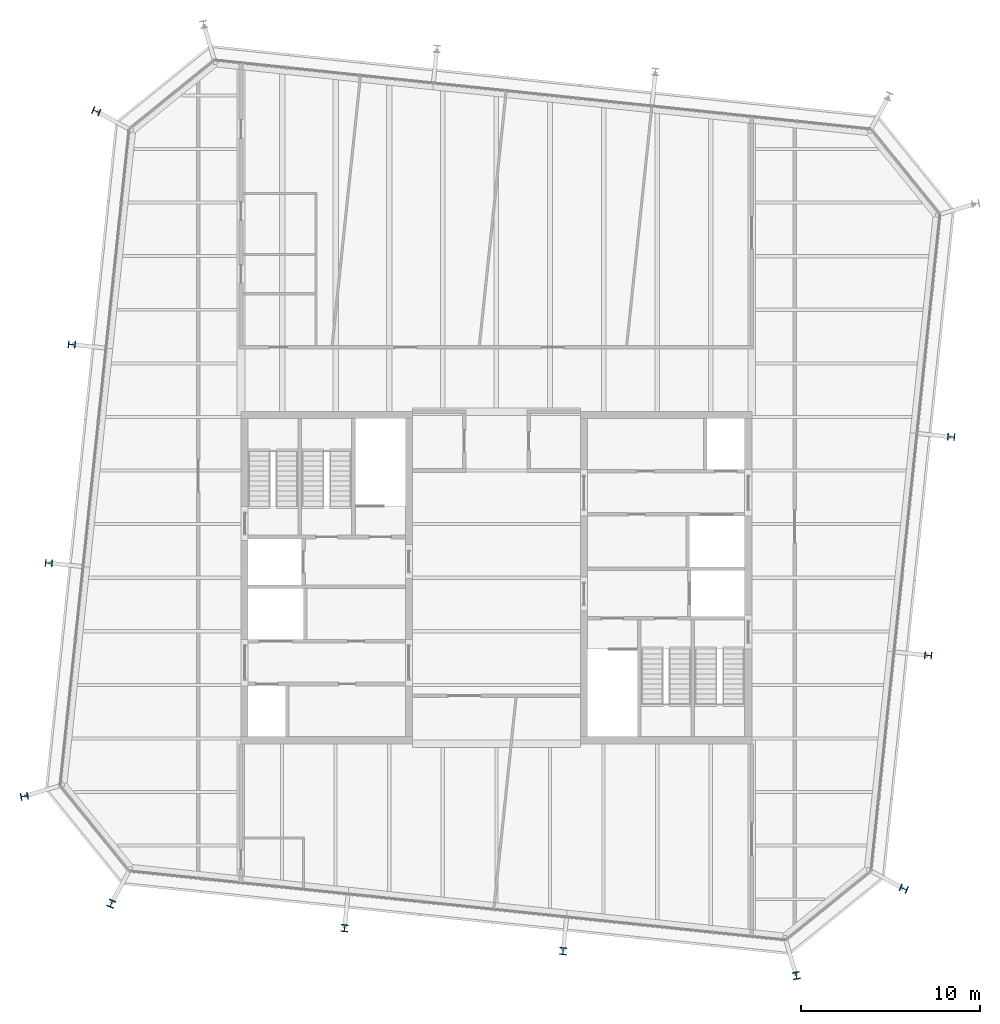
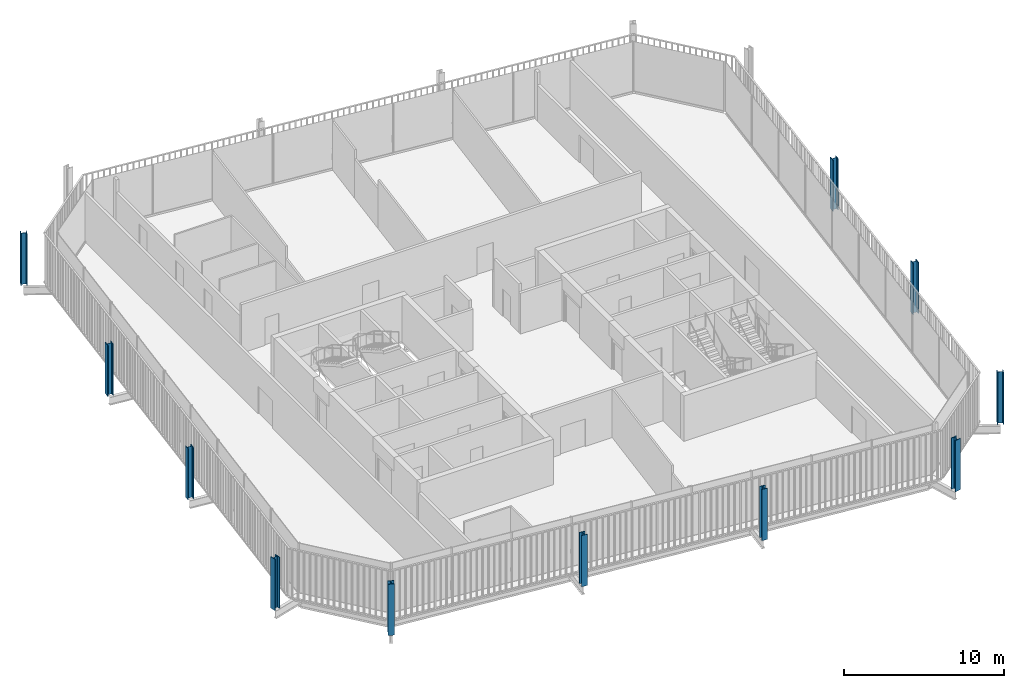
# One storey, part 1 of 19: 11 columns.
"""IFC4 building model written with IfcOpenShell, lengths in metres."""

from ifc_helpers import new_model, si_unit, direction, frame, origin, origin_2d, place, context, subcontext, project, spatial, i_section, extrude, material, material_profile, profile_set, type_object, element, save


model = new_model("IFC4")

# Units and contexts
model_context = context("Model", 3, precision=1e-05, world=origin(), true_north=direction((0.0, 1.0)))
body_context = subcontext(model_context, "Body", "Model", "MODEL_VIEW")
ifc_project = project(units=[si_unit("LENGTHUNIT", "METRE"), si_unit("AREAUNIT", "SQUARE_METRE"), si_unit("VOLUMEUNIT", "CUBIC_METRE"), si_unit("PLANEANGLEUNIT", "RADIAN"), si_unit("MASSUNIT", "GRAM", prefix="KILO")], contexts=[model_context])

# Site, building, storey
site_placement = place(None, origin())
site = spatial("IfcSite", under=ifc_project, at=site_placement, CompositionType="ELEMENT")
building_placement = place(site_placement, origin())
building = spatial("IfcBuilding", under=site, at=building_placement, Name="Millrace Tower", CompositionType="ELEMENT")
storey_placement = place(building_placement, frame((0.0, 0.0, 338.199951171875)))
storey = spatial("IfcBuildingStorey", under=building, at=storey_placement, Name="L78", CompositionType="ELEMENT", Elevation=338.199951171875)

# Columns
ifc_material_1 = material(Name="Steel ASTM A913 Grade 65", Category="steel")
ifc_material_profile_1 = material_profile(ifc_material_1, i_section(OverallWidth=0.4013671875, OverallDepth=0.398681640625, WebThickness=0.02490234375, FlangeThickness=0.03955078125, FilletRadius=0.01513671875, at=origin_2d()))
ifc_profile_set_1 = profile_set([ifc_material_profile_1], Name="Steel ASTM A913 Grade 65")
column_type_1 = type_object("IfcColumnType", Name="Exoskeleton column W14x211", PredefinedType="COLUMN", material=ifc_profile_set_1)
for number, where, z_axis, x_axis, name in (
    (1, (-8.50341796875, -19.62158203125, 0.0), (0.0, 0.0, 1.0), (0.994521897246, -0.104528445407, 0.0), "COL-E-L78-X03"),
    (2, (3.729248046875, -20.9072265625, 0.0), (0.0, 0.0, 1.0), (0.994521897246, -0.104528445407, 0.0), "COL-E-L78-X04"),
    (3, (24.171630859375, -4.353271484375, 0.0), (0.0, 0.0, 1.0), (0.104528445407, 0.994521897246, 0.0), "COL-E-L78-X07"),
    (4, (25.457275390625, 7.879150390625, 0.0), (0.0, 0.0, 1.0), (0.104528445407, 0.994521897246, 0.0), "COL-E-L78-X08"),
    (5, (-23.771484375, 13.053466796875, 0.0), (0.0, 0.0, 1.0), (-0.104528445407, -0.994521897246, 0.0), "COL-E-L78-X15"),
    (6, (-25.057373046875, 0.82080078125, 0.0), (0.0, 0.0, 1.0), (-0.104528445407, -0.994521897246, 0.0), "COL-E-L78-X16"),
):
    element("IfcColumn", number, at=place(storey_placement, frame(where, z_axis=z_axis, x_axis=x_axis)), inside=storey, type_object=column_type_1, Name=name, PredefinedType="COLUMN", context=body_context, shape_type="SweptSolid", body=[
        extrude(i_section(OverallWidth=0.4013671875, OverallDepth=0.398681640625, WebThickness=0.02490234375, FlangeThickness=0.03955078125, FilletRadius=0.01513671875, at=origin_2d()), origin(), (0.0, 0.0, 1.0), 3.900146484375),
    ])
ifc_material_2 = material(Name="Steel ASTM A913 Grade 65", Category="steel")
ifc_material_profile_2 = material_profile(ifc_material_2, i_section(OverallWidth=0.406494140625, OverallDepth=0.41650390625, WebThickness=0.030029296875, FlangeThickness=0.048095703125, FilletRadius=0.01513671875, at=origin_2d()))
ifc_profile_set_2 = profile_set([ifc_material_profile_2], Name="Steel ASTM A913 Grade 65")
column_type_2 = type_object("IfcColumnType", Name="Exoskeleton column W14x257", PredefinedType="COLUMN", material=ifc_profile_set_2)
for number, where, z_axis, x_axis, name in (
    (7, (-26.429443359375, -12.23583984375, 0.0), (0.0, 0.0, 1.0), (0.18038747256, -0.983595628164, 0.0), "COL-E-L78-X01"),
    (8, (-21.559814453125, -18.249267578125, 0.0), (0.0, 0.0, 1.0), (0.92459700658, -0.380946683176, 0.0), "COL-E-L78-X02"),
    (9, (16.78564453125, -22.279541015625, 0.0), (0.0, 0.0, 1.0), (0.983595628164, 0.18038747256, 0.0), "COL-E-L78-X05"),
    (10, (22.79931640625, -17.409912109375, 0.0), (0.0, 0.0, 1.0), (0.380946683176, 0.92459700658, 0.0), "COL-E-L78-X06"),
    (11, (-22.399169921875, 26.10986328125, 0.0), (0.0, 0.0, 1.0), (-0.380946683176, -0.92459700658, 0.0), "COL-E-L78-X14"),
):
    element("IfcColumn", number, at=place(storey_placement, frame(where, z_axis=z_axis, x_axis=x_axis)), inside=storey, type_object=column_type_2, Name=name, PredefinedType="COLUMN", context=body_context, shape_type="SweptSolid", body=[
        extrude(i_section(OverallWidth=0.406494140625, OverallDepth=0.41650390625, WebThickness=0.030029296875, FlangeThickness=0.048095703125, FilletRadius=0.01513671875, at=origin_2d()), origin(), (0.0, 0.0, 1.0), 3.900146484375),
    ])

save(model, "model.ifc")
